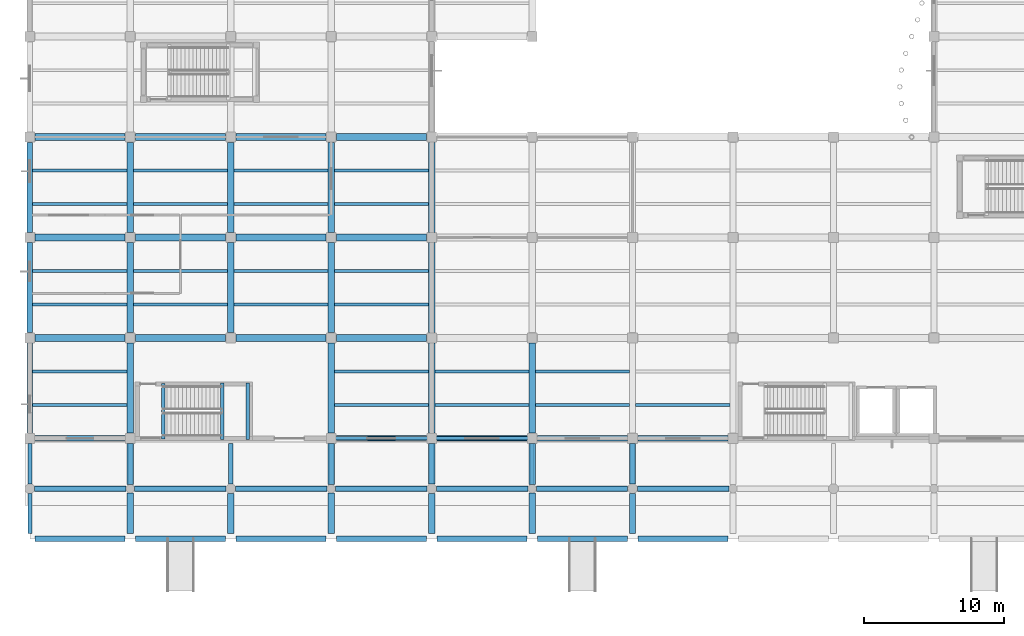
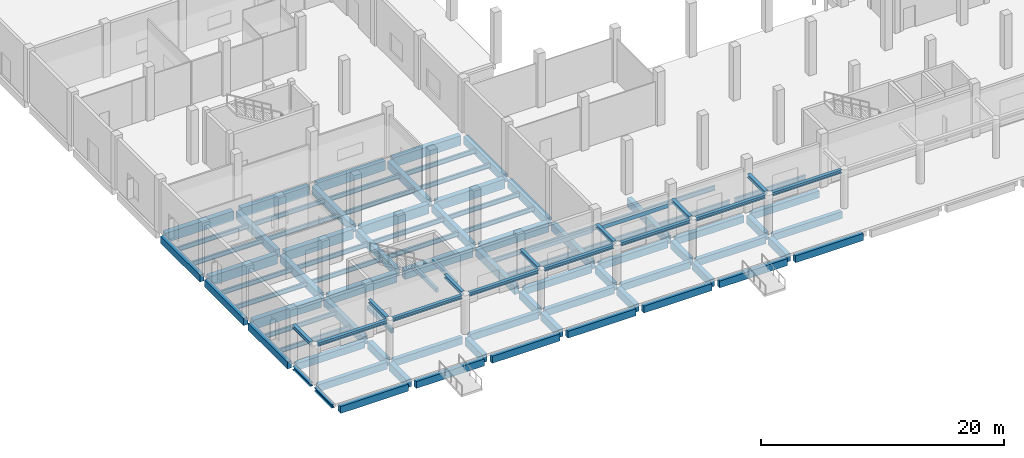
# One storey, part 13 of 46: 103 beams.
"""IFC4 building model written with IfcOpenShell, lengths in metres."""

from ifc_helpers import new_model, si_unit, direction, frame, origin, origin_2d, place, context, subcontext, project, spatial, rectangle, i_section, extrude, material, material_profile, profile_set, type_object, element, save


model = new_model("IFC4")

# Units and contexts
model_context = context("Model", 3, precision=1e-05, world=origin(), true_north=direction((0.0, 1.0)))
body_context = subcontext(model_context, "Body", "Model", "MODEL_VIEW")
ifc_project = project(units=[si_unit("LENGTHUNIT", "METRE"), si_unit("AREAUNIT", "SQUARE_METRE"), si_unit("VOLUMEUNIT", "CUBIC_METRE"), si_unit("PLANEANGLEUNIT", "RADIAN"), si_unit("MASSUNIT", "GRAM", prefix="KILO"), si_unit("THERMODYNAMICTEMPERATUREUNIT", "KELVIN"), si_unit("POWERUNIT", "WATT")], contexts=[model_context])

# Site, building, storey
site_placement = place(None, origin())
site = spatial("IfcSite", under=ifc_project, at=site_placement, CompositionType="ELEMENT")
building_placement = place(site_placement, origin())
building = spatial("IfcBuilding", under=site, at=building_placement, Name="Kaldorven Railside Theatre", CompositionType="ELEMENT")
storey_placement = place(building_placement, origin())
storey = spatial("IfcBuildingStorey", under=building, at=storey_placement, Name="L00", CompositionType="ELEMENT", Elevation=0.0)

# Beams
ifc_material_1 = material(Name="Steel S355", Category="steel")
ifc_material_profile_1 = material_profile(ifc_material_1, i_section(OverallWidth=0.300048828125, OverallDepth=0.340087890625, WebThickness=0.011962890625, FlangeThickness=0.021484375, at=origin_2d()), Name="HEB 340")
ifc_profile_set_1 = profile_set([ifc_material_profile_1], Name="Steel S355")
beam_type_1 = type_object("IfcBeamType", Name="BM-HEB340", PredefinedType="SPANDREL", material=ifc_profile_set_1)
for number, where, z_axis, x_axis, name in (
    (1, (8.0, 12.375, -0.419921875), (0.0, 1.0, 0.0), (-1.0, 0.0, 0.0), "L00 Girder BGY-L00-008-012-36"),
    (2, (8.0, 15.949951171875, -0.419921875), (0.0, 1.0, 0.0), (-1.0, 0.0, 0.0), "L00 Girder BGY-L00-008-015-36"),
):
    element("IfcBeam", number, at=place(storey_placement, frame(where, z_axis=z_axis, x_axis=x_axis)), inside=storey, type_object=beam_type_1, Name=name, PredefinedType="SPANDREL", context=body_context, shape_type="SweptSolid", body=[
        extrude(i_section(OverallWidth=0.300048828125, OverallDepth=0.340087890625, WebThickness=0.011962890625, FlangeThickness=0.021484375, at=origin_2d()), origin(), (0.0, 0.0, 1.0), 2.875),
    ])
beam_1_placement = place(storey_placement, frame((8.0, 15.949951171875, 3.739990234375), z_axis=(0.0, 1.0, 0.0), x_axis=(-1.0, 0.0, 0.0)))
element("IfcBeam", 3, at=beam_1_placement, inside=storey, type_object=beam_type_1, Name="Forecourt Canopy Outrigger Beam CANB-01", PredefinedType="SPANDREL", context=body_context, shape_type="SweptSolid", body=[
    extrude(i_section(OverallWidth=0.300048828125, OverallDepth=0.340087890625, WebThickness=0.011962890625, FlangeThickness=0.021484375, at=origin_2d()), origin(), (0.0, 0.0, 1.0), 2.900146484375),
])
beam_2_placement = place(storey_placement, frame((15.199951171875, 15.89990234375, 3.739990234375), z_axis=(0.0, 1.0, 0.0), x_axis=(-1.0, 0.0, 0.0)))
element("IfcBeam", 4, at=beam_2_placement, inside=storey, type_object=beam_type_1, Name="Forecourt Canopy Outrigger Beam CANB-02", PredefinedType="SPANDREL", context=body_context, shape_type="SweptSolid", body=[
    extrude(i_section(OverallWidth=0.300048828125, OverallDepth=0.340087890625, WebThickness=0.011962890625, FlangeThickness=0.021484375, at=origin_2d()), origin(), (0.0, 0.0, 1.0), 2.9501953125),
])
beam_3_placement = place(storey_placement, frame((22.39990234375, 15.949951171875, 3.739990234375), z_axis=(0.0, 1.0, 0.0), x_axis=(-1.0, 0.0, 0.0)))
element("IfcBeam", 5, at=beam_3_placement, inside=storey, type_object=beam_type_1, Name="Forecourt Canopy Outrigger Beam CANB-03", PredefinedType="SPANDREL", context=body_context, shape_type="SweptSolid", body=[
    extrude(i_section(OverallWidth=0.300048828125, OverallDepth=0.340087890625, WebThickness=0.011962890625, FlangeThickness=0.021484375, at=origin_2d()), origin(), (0.0, 0.0, 1.0), 2.900146484375),
])
beam_4_placement = place(storey_placement, frame((29.60009765625, 15.89990234375, 3.739990234375), z_axis=(0.0, 1.0, 0.0), x_axis=(-1.0, 0.0, 0.0)))
element("IfcBeam", 6, at=beam_4_placement, inside=storey, type_object=beam_type_1, Name="Forecourt Canopy Outrigger Beam CANB-04", PredefinedType="SPANDREL", context=body_context, shape_type="SweptSolid", body=[
    extrude(i_section(OverallWidth=0.300048828125, OverallDepth=0.340087890625, WebThickness=0.011962890625, FlangeThickness=0.021484375, at=origin_2d()), origin(), (0.0, 0.0, 1.0), 2.9501953125),
])
beam_5_placement = place(storey_placement, frame((36.800048828125, 15.949951171875, 3.739990234375), z_axis=(0.0, 1.0, 0.0), x_axis=(-1.0, 0.0, 0.0)))
element("IfcBeam", 7, at=beam_5_placement, inside=storey, type_object=beam_type_1, Name="Forecourt Canopy Outrigger Beam CANB-05", PredefinedType="SPANDREL", context=body_context, shape_type="SweptSolid", body=[
    extrude(i_section(OverallWidth=0.300048828125, OverallDepth=0.340087890625, WebThickness=0.011962890625, FlangeThickness=0.021484375, at=origin_2d()), origin(), (0.0, 0.0, 1.0), 2.900146484375),
])
beam_6_placement = place(storey_placement, frame((44.0, 15.89990234375, 3.739990234375), z_axis=(0.0, 1.0, 0.0), x_axis=(-1.0, 0.0, 0.0)))
element("IfcBeam", 8, at=beam_6_placement, inside=storey, type_object=beam_type_1, Name="Forecourt Canopy Outrigger Beam CANB-06", PredefinedType="SPANDREL", context=body_context, shape_type="SweptSolid", body=[
    extrude(i_section(OverallWidth=0.300048828125, OverallDepth=0.340087890625, WebThickness=0.011962890625, FlangeThickness=0.021484375, at=origin_2d()), origin(), (0.0, 0.0, 1.0), 2.9501953125),
])
beam_7_placement = place(storey_placement, frame((51.199951171875, 15.949951171875, 3.739990234375), z_axis=(0.0, 1.0, 0.0), x_axis=(-1.0, 0.0, 0.0)))
element("IfcBeam", 9, at=beam_7_placement, inside=storey, type_object=beam_type_1, Name="Forecourt Canopy Outrigger Beam CANB-07", PredefinedType="SPANDREL", context=body_context, shape_type="SweptSolid", body=[
    extrude(i_section(OverallWidth=0.300048828125, OverallDepth=0.340087890625, WebThickness=0.011962890625, FlangeThickness=0.021484375, at=origin_2d()), origin(), (0.0, 0.0, 1.0), 2.900146484375),
])
beam_8_placement = place(storey_placement, frame((8.35009765625, 15.60009765625, 3.739990234375), z_axis=(1.0, 0.0, 0.0), x_axis=(0.0, 1.0, 0.0)))
element("IfcBeam", 10, at=beam_8_placement, inside=storey, type_object=beam_type_1, Name="Forecourt Canopy Front Edge Girder CANE-01", PredefinedType="SPANDREL", context=body_context, shape_type="SweptSolid", body=[
    extrude(i_section(OverallWidth=0.300048828125, OverallDepth=0.340087890625, WebThickness=0.011962890625, FlangeThickness=0.021484375, at=origin_2d()), origin(), (0.0, 0.0, 1.0), 6.5498046875),
])
for number, where, z_axis, x_axis, name in (
    (11, (15.5, 15.60009765625, 3.739990234375), (1.0, 0.0, 0.0), (0.0, 1.0, 0.0), "Forecourt Canopy Front Edge Girder CANE-02"),
    (12, (22.75, 15.60009765625, 3.739990234375), (1.0, 0.0, 0.0), (0.0, 1.0, 0.0), "Forecourt Canopy Front Edge Girder CANE-03"),
    (13, (29.89990234375, 15.60009765625, 3.739990234375), (1.0, 0.0, 0.0), (0.0, 1.0, 0.0), "Forecourt Canopy Front Edge Girder CANE-04"),
    (14, (37.14990234375, 15.60009765625, 3.739990234375), (1.0, 0.0, 0.0), (0.0, 1.0, 0.0), "Forecourt Canopy Front Edge Girder CANE-05"),
    (15, (44.300048828125, 15.60009765625, 3.739990234375), (1.0, 0.0, 0.0), (0.0, 1.0, 0.0), "Forecourt Canopy Front Edge Girder CANE-06"),
    (16, (51.550048828125, 15.60009765625, 3.739990234375), (1.0, 0.0, 0.0), (0.0, 1.0, 0.0), "Forecourt Canopy Front Edge Girder CANE-07"),
):
    element("IfcBeam", number, at=place(storey_placement, frame(where, z_axis=z_axis, x_axis=x_axis)), inside=storey, type_object=beam_type_1, Name=name, PredefinedType="SPANDREL", context=body_context, shape_type="SweptSolid", body=[
        extrude(i_section(OverallWidth=0.300048828125, OverallDepth=0.340087890625, WebThickness=0.011962890625, FlangeThickness=0.021484375, at=origin_2d()), origin(), (0.0, 0.0, 1.0), 6.550048828125),
    ])
ifc_material_profile_2 = material_profile(ifc_material_1, i_section(OverallWidth=0.18994140625, OverallDepth=0.449951171875, WebThickness=0.009521484375, FlangeThickness=0.0146484375, at=origin_2d()), Name="IPE 450")
ifc_profile_set_2 = profile_set([ifc_material_profile_2], Name="Steel S355")
beam_type_2 = type_object("IfcBeamType", Name="BM-IPE450", PredefinedType="JOIST", material=ifc_profile_set_2)
for number, where, z_axis, x_axis, name in (
    (17, (8.199951171875, 21.60009765625, -0.52490234375), (1.0, 0.0, 0.0), (0.0, 1.0, 0.0), "L00 Secondary Floor Joist JG-L00-008-0216"),
    (18, (8.199951171875, 24.0, -0.52490234375), (1.0, 0.0, 0.0), (0.0, 1.0, 0.0), "L00 Secondary Floor Joist JG-L00-008-0240"),
):
    element("IfcBeam", number, at=place(storey_placement, frame(where, z_axis=z_axis, x_axis=x_axis)), inside=storey, type_object=beam_type_2, Name=name, PredefinedType="JOIST", context=body_context, shape_type="SweptSolid", body=[
        extrude(i_section(OverallWidth=0.18994140625, OverallDepth=0.449951171875, WebThickness=0.009521484375, FlangeThickness=0.0146484375, at=origin_2d()), origin(), (0.0, 0.0, 1.0), 6.775146484375),
    ])
for number, where, z_axis, x_axis, name in (
    (19, (29.824951171875, 21.60009765625, -0.52490234375), (1.0, 0.0, 0.0), (0.0, 1.0, 0.0), "L00 Secondary Floor Joist JG-L00-029-0216"),
    (20, (29.824951171875, 24.0, -0.52490234375), (1.0, 0.0, 0.0), (0.0, 1.0, 0.0), "L00 Secondary Floor Joist JG-L00-029-0240"),
    (21, (37.02490234375, 21.60009765625, -0.544921875), (1.0, 0.0, 0.0), (0.0, 1.0, 0.0), "L00 Secondary Floor Joist JG-L00-036-0216"),
    (22, (37.02490234375, 24.0, -0.544921875), (1.0, 0.0, 0.0), (0.0, 1.0, 0.0), "L00 Secondary Floor Joist JG-L00-036-0240"),
    (23, (44.22509765625, 21.60009765625, -0.544921875), (1.0, 0.0, 0.0), (0.0, 1.0, 0.0), "L00 Secondary Floor Joist JG-L00-044-0216"),
    (24, (44.22509765625, 24.0, -0.544921875), (1.0, 0.0, 0.0), (0.0, 1.0, 0.0), "L00 Secondary Floor Joist JG-L00-044-0240"),
    (25, (51.425048828125, 21.60009765625, -0.544921875), (1.0, 0.0, 0.0), (0.0, 1.0, 0.0), "L00 Secondary Floor Joist JG-L00-051-0216"),
):
    element("IfcBeam", number, at=place(storey_placement, frame(where, z_axis=z_axis, x_axis=x_axis)), inside=storey, type_object=beam_type_2, Name=name, PredefinedType="JOIST", context=body_context, shape_type="SweptSolid", body=[
        extrude(i_section(OverallWidth=0.18994140625, OverallDepth=0.449951171875, WebThickness=0.009521484375, FlangeThickness=0.0146484375, at=origin_2d()), origin(), (0.0, 0.0, 1.0), 6.75),
    ])
for number, where, z_axis, x_axis, name in (
    (26, (8.199951171875, 28.800048828125, -0.52490234375), (1.0, 0.0, 0.0), (0.0, 1.0, 0.0), "L00 Secondary Floor Joist JG-L00-008-0288"),
    (27, (8.199951171875, 31.199951171875, -0.52490234375), (1.0, 0.0, 0.0), (0.0, 1.0, 0.0), "L00 Secondary Floor Joist JG-L00-008-0312"),
):
    element("IfcBeam", number, at=place(storey_placement, frame(where, z_axis=z_axis, x_axis=x_axis)), inside=storey, type_object=beam_type_2, Name=name, PredefinedType="JOIST", context=body_context, shape_type="SweptSolid", body=[
        extrude(i_section(OverallWidth=0.18994140625, OverallDepth=0.449951171875, WebThickness=0.009521484375, FlangeThickness=0.0146484375, at=origin_2d()), origin(), (0.0, 0.0, 1.0), 6.775146484375),
    ])
for number, where, z_axis, x_axis, name in (
    (28, (15.425048828125, 28.800048828125, -0.52490234375), (1.0, 0.0, 0.0), (0.0, 1.0, 0.0), "L00 Secondary Floor Joist JG-L00-015-0288"),
    (29, (15.425048828125, 31.199951171875, -0.52490234375), (1.0, 0.0, 0.0), (0.0, 1.0, 0.0), "L00 Secondary Floor Joist JG-L00-015-0312"),
    (30, (22.625, 28.800048828125, -0.52490234375), (1.0, 0.0, 0.0), (0.0, 1.0, 0.0), "L00 Secondary Floor Joist JG-L00-022-0288"),
    (31, (22.625, 31.199951171875, -0.52490234375), (1.0, 0.0, 0.0), (0.0, 1.0, 0.0), "L00 Secondary Floor Joist JG-L00-022-0312"),
    (32, (29.824951171875, 28.800048828125, -0.52490234375), (1.0, 0.0, 0.0), (0.0, 1.0, 0.0), "L00 Secondary Floor Joist JG-L00-029-0288"),
    (33, (29.824951171875, 31.199951171875, -0.52490234375), (1.0, 0.0, 0.0), (0.0, 1.0, 0.0), "L00 Secondary Floor Joist JG-L00-029-0312"),
):
    element("IfcBeam", number, at=place(storey_placement, frame(where, z_axis=z_axis, x_axis=x_axis)), inside=storey, type_object=beam_type_2, Name=name, PredefinedType="JOIST", context=body_context, shape_type="SweptSolid", body=[
        extrude(i_section(OverallWidth=0.18994140625, OverallDepth=0.449951171875, WebThickness=0.009521484375, FlangeThickness=0.0146484375, at=origin_2d()), origin(), (0.0, 0.0, 1.0), 6.75),
    ])
for number, where, z_axis, x_axis, name in (
    (34, (8.199951171875, 36.0, -0.52490234375), (1.0, 0.0, 0.0), (0.0, 1.0, 0.0), "L00 Secondary Floor Joist JG-L00-008-0360"),
    (35, (8.199951171875, 38.39990234375, -0.52490234375), (1.0, 0.0, 0.0), (0.0, 1.0, 0.0), "L00 Secondary Floor Joist JG-L00-008-0384"),
):
    element("IfcBeam", number, at=place(storey_placement, frame(where, z_axis=z_axis, x_axis=x_axis)), inside=storey, type_object=beam_type_2, Name=name, PredefinedType="JOIST", context=body_context, shape_type="SweptSolid", body=[
        extrude(i_section(OverallWidth=0.18994140625, OverallDepth=0.449951171875, WebThickness=0.009521484375, FlangeThickness=0.0146484375, at=origin_2d()), origin(), (0.0, 0.0, 1.0), 6.775146484375),
    ])
for number, where, z_axis, x_axis, name in (
    (36, (15.425048828125, 36.0, -0.52490234375), (1.0, 0.0, 0.0), (0.0, 1.0, 0.0), "L00 Secondary Floor Joist JG-L00-015-0360"),
    (37, (15.425048828125, 38.39990234375, -0.52490234375), (1.0, 0.0, 0.0), (0.0, 1.0, 0.0), "L00 Secondary Floor Joist JG-L00-015-0384"),
    (38, (22.625, 36.0, -0.52490234375), (1.0, 0.0, 0.0), (0.0, 1.0, 0.0), "L00 Secondary Floor Joist JG-L00-022-0360"),
    (39, (22.625, 38.39990234375, -0.52490234375), (1.0, 0.0, 0.0), (0.0, 1.0, 0.0), "L00 Secondary Floor Joist JG-L00-022-0384"),
    (40, (29.824951171875, 36.0, -0.52490234375), (1.0, 0.0, 0.0), (0.0, 1.0, 0.0), "L00 Secondary Floor Joist JG-L00-029-0360"),
    (41, (29.824951171875, 38.39990234375, -0.52490234375), (1.0, 0.0, 0.0), (0.0, 1.0, 0.0), "L00 Secondary Floor Joist JG-L00-029-0384"),
):
    element("IfcBeam", number, at=place(storey_placement, frame(where, z_axis=z_axis, x_axis=x_axis)), inside=storey, type_object=beam_type_2, Name=name, PredefinedType="JOIST", context=body_context, shape_type="SweptSolid", body=[
        extrude(i_section(OverallWidth=0.18994140625, OverallDepth=0.449951171875, WebThickness=0.009521484375, FlangeThickness=0.0146484375, at=origin_2d()), origin(), (0.0, 0.0, 1.0), 6.75),
    ])
ifc_material_2 = material(Name="Concrete C40/50", Category="concrete")
ifc_material_profile_3 = material_profile(ifc_material_2, rectangle(XDim=0.25, YDim=0.39990234375, at=origin_2d()), Name="RC 250x400")
ifc_profile_set_3 = profile_set([ifc_material_profile_3], Name="Concrete C40/50")
beam_type_3 = type_object("IfcBeamType", Name="BM-RC250x400", PredefinedType="LINTEL", material=ifc_profile_set_3)
beam_9_placement = place(storey_placement, frame((17.550048828125, 19.169921875, -0.344970703125), z_axis=(0.0, 1.0, 0.0), x_axis=(-1.0, 0.0, 0.0)))
element("IfcBeam", 42, at=beam_9_placement, inside=storey, type_object=beam_type_3, Name="Stair ST-01 L00 Landing Trimmer Beam", PredefinedType="LINTEL", context=body_context, shape_type="SweptSolid", body=[
    extrude(rectangle(XDim=0.25, YDim=0.39990234375, at=origin_2d()), origin(), (0.0, 0.0, 1.0), 3.9599609375),
])
for number, where, z_axis, x_axis, name in (
    (43, (21.77490234375, 19.139892578125, 2.300048828125), (0.0, 1.0, 0.0), (-1.0, 0.0, 0.0), "Stair ST-01 L00 Half-Landing Bearer"),
    (44, (23.6298828125, 19.139892578125, 2.300048828125), (0.0, 1.0, 0.0), (-1.0, 0.0, 0.0), "Stair ST-01 L00 Half-Landing Bearer"),
):
    element("IfcBeam", number, at=place(storey_placement, frame(where, z_axis=z_axis, x_axis=x_axis)), inside=storey, type_object=beam_type_3, Name=name, PredefinedType="LINTEL", context=body_context, shape_type="SweptSolid", body=[
        extrude(rectangle(XDim=0.25, YDim=0.39990234375, at=origin_2d()), origin(), (0.0, 0.0, 1.0), 4.02001953125),
    ])
for number, where, z_axis, x_axis, name in (
    (45, (29.85009765625, 19.199951171875, 3.14990234375), (1.0, 0.0, 0.0), (0.0, 1.0, 0.0), "Reinforced Concrete Opening Lintel LNT-01"),
    (46, (37.050048828125, 19.199951171875, 3.14990234375), (1.0, 0.0, 0.0), (0.0, 1.0, 0.0), "Reinforced Concrete Opening Lintel LNT-06"),
):
    element("IfcBeam", number, at=place(storey_placement, frame(where, z_axis=z_axis, x_axis=x_axis)), inside=storey, type_object=beam_type_3, Name=name, PredefinedType="LINTEL", context=body_context, shape_type="SweptSolid", body=[
        extrude(rectangle(XDim=0.25, YDim=0.39990234375, at=origin_2d()), origin(), (0.0, 0.0, 1.0), 6.699951171875),
    ])
ifc_material_profile_4 = material_profile(ifc_material_2, rectangle(XDim=0.39990234375, YDim=0.699951171875, at=origin_2d()), Name="RC 400x700")
ifc_profile_set_4 = profile_set([ifc_material_profile_4], Name="Concrete C40/50")
beam_type_4 = type_object("IfcBeamType", Name="BM-RC400x700", PredefinedType="BEAM", material=ifc_profile_set_4)
for number, where, z_axis, x_axis, name in (
    (47, (8.375, 12.0, -0.60009765625), (1.0, 0.0, 0.0), (0.0, 1.0, 0.0), "L00 Girder BGX-L00-008-012"),
    (48, (15.574951171875, 12.0, -0.60009765625), (1.0, 0.0, 0.0), (0.0, 1.0, 0.0), "L00 Girder BGX-L00-015-012"),
):
    element("IfcBeam", number, at=place(storey_placement, frame(where, z_axis=z_axis, x_axis=x_axis)), inside=storey, type_object=beam_type_4, Name=name, PredefinedType="BEAM", context=body_context, shape_type="SweptSolid", body=[
        extrude(rectangle(XDim=0.39990234375, YDim=0.699951171875, at=origin_2d()), origin(), (0.0, 0.0, 1.0), 6.449951171875),
    ])
beam_10_placement = place(storey_placement, frame((22.77490234375, 12.0, -0.60009765625), z_axis=(1.0, 0.0, 0.0), x_axis=(0.0, 1.0, 0.0)))
element("IfcBeam", 49, at=beam_10_placement, inside=storey, type_object=beam_type_4, Name="L00 Girder BGX-L00-022-012", PredefinedType="BEAM", context=body_context, shape_type="SweptSolid", body=[
    extrude(rectangle(XDim=0.39990234375, YDim=0.699951171875, at=origin_2d()), origin(), (0.0, 0.0, 1.0), 6.4501953125),
])
for number, where, z_axis, x_axis, name in (
    (50, (29.97509765625, 12.0, -0.60009765625), (1.0, 0.0, 0.0), (0.0, 1.0, 0.0), "L00 Girder BGX-L00-029-012"),
    (51, (37.175048828125, 12.0, -0.60009765625), (1.0, 0.0, 0.0), (0.0, 1.0, 0.0), "L00 Girder BGX-L00-036-012"),
    (52, (44.375, 12.0, -0.60009765625), (1.0, 0.0, 0.0), (0.0, 1.0, 0.0), "L00 Girder BGX-L00-044-012"),
    (53, (51.574951171875, 12.0, -0.60009765625), (1.0, 0.0, 0.0), (0.0, 1.0, 0.0), "L00 Girder BGX-L00-051-012"),
):
    element("IfcBeam", number, at=place(storey_placement, frame(where, z_axis=z_axis, x_axis=x_axis)), inside=storey, type_object=beam_type_4, Name=name, PredefinedType="BEAM", context=body_context, shape_type="SweptSolid", body=[
        extrude(rectangle(XDim=0.39990234375, YDim=0.699951171875, at=origin_2d()), origin(), (0.0, 0.0, 1.0), 6.449951171875),
    ])
beam_11_placement = place(storey_placement, frame((8.35009765625, 15.60009765625, -0.60009765625), z_axis=(1.0, 0.0, 0.0), x_axis=(0.0, 1.0, 0.0)))
element("IfcBeam", 54, at=beam_11_placement, inside=storey, type_object=beam_type_4, Name="L00 Girder BGX-L00-008-015", PredefinedType="BEAM", context=body_context, shape_type="SweptSolid", body=[
    extrude(rectangle(XDim=0.39990234375, YDim=0.699951171875, at=origin_2d()), origin(), (0.0, 0.0, 1.0), 6.5498046875),
])
for number, where, z_axis, x_axis, name in (
    (55, (15.5, 15.60009765625, -0.60009765625), (1.0, 0.0, 0.0), (0.0, 1.0, 0.0), "L00 Girder BGX-L00-015-015"),
    (56, (22.75, 15.60009765625, -0.60009765625), (1.0, 0.0, 0.0), (0.0, 1.0, 0.0), "L00 Girder BGX-L00-022-015"),
    (57, (29.89990234375, 15.60009765625, -0.60009765625), (1.0, 0.0, 0.0), (0.0, 1.0, 0.0), "L00 Girder BGX-L00-029-015"),
    (58, (37.14990234375, 15.60009765625, -0.60009765625), (1.0, 0.0, 0.0), (0.0, 1.0, 0.0), "L00 Girder BGX-L00-036-015"),
    (59, (44.300048828125, 15.60009765625, -0.60009765625), (1.0, 0.0, 0.0), (0.0, 1.0, 0.0), "L00 Girder BGX-L00-044-015"),
    (60, (51.550048828125, 15.60009765625, -0.60009765625), (1.0, 0.0, 0.0), (0.0, 1.0, 0.0), "L00 Girder BGX-L00-051-015"),
):
    element("IfcBeam", number, at=place(storey_placement, frame(where, z_axis=z_axis, x_axis=x_axis)), inside=storey, type_object=beam_type_4, Name=name, PredefinedType="BEAM", context=body_context, shape_type="SweptSolid", body=[
        extrude(rectangle(XDim=0.39990234375, YDim=0.699951171875, at=origin_2d()), origin(), (0.0, 0.0, 1.0), 6.550048828125),
    ])
for number, where, z_axis, x_axis, name in (
    (61, (8.375, 19.199951171875, -0.64990234375), (1.0, 0.0, 0.0), (0.0, 1.0, 0.0), "L00 Girder BGX-L00-008-019"),
    (62, (8.0, 19.574951171875, -0.64990234375), (0.0, 1.0, 0.0), (-1.0, 0.0, 0.0), "L00 Girder BGY-L00-008-019-72"),
    (63, (29.97509765625, 19.199951171875, -0.64990234375), (1.0, 0.0, 0.0), (0.0, 1.0, 0.0), "L00 Girder BGX-L00-029-019"),
    (64, (37.175048828125, 19.199951171875, -0.669921875), (1.0, 0.0, 0.0), (0.0, 1.0, 0.0), "L00 Girder BGX-L00-036-019"),
    (65, (44.375, 19.199951171875, -0.669921875), (1.0, 0.0, 0.0), (0.0, 1.0, 0.0), "L00 Girder BGX-L00-044-019"),
    (66, (51.574951171875, 19.199951171875, -0.669921875), (1.0, 0.0, 0.0), (0.0, 1.0, 0.0), "L00 Girder BGX-L00-051-019"),
):
    element("IfcBeam", number, at=place(storey_placement, frame(where, z_axis=z_axis, x_axis=x_axis)), inside=storey, type_object=beam_type_4, Name=name, PredefinedType="BEAM", context=body_context, shape_type="SweptSolid", body=[
        extrude(rectangle(XDim=0.39990234375, YDim=0.699951171875, at=origin_2d()), origin(), (0.0, 0.0, 1.0), 6.449951171875),
    ])
beam_12_placement = place(storey_placement, frame((8.0, 26.77490234375, -0.64990234375), z_axis=(0.0, 1.0, 0.0), x_axis=(-1.0, 0.0, 0.0)))
element("IfcBeam", 67, at=beam_12_placement, inside=storey, type_object=beam_type_4, Name="L00 Girder BGY-L00-008-026-72", PredefinedType="BEAM", context=body_context, shape_type="SweptSolid", body=[
    extrude(rectangle(XDim=0.39990234375, YDim=0.699951171875, at=origin_2d()), origin(), (0.0, 0.0, 1.0), 6.4501953125),
])
beam_13_placement = place(storey_placement, frame((8.0, 33.97509765625, -0.64990234375), z_axis=(0.0, 1.0, 0.0), x_axis=(-1.0, 0.0, 0.0)))
element("IfcBeam", 68, at=beam_13_placement, inside=storey, type_object=beam_type_4, Name="L00 Girder BGY-L00-008-033-72", PredefinedType="BEAM", context=body_context, shape_type="SweptSolid", body=[
    extrude(rectangle(XDim=0.39990234375, YDim=0.699951171875, at=origin_2d()), origin(), (0.0, 0.0, 1.0), 6.449951171875),
])
ifc_material_profile_5 = material_profile(ifc_material_2, rectangle(XDim=0.449951171875, YDim=0.800048828125, at=origin_2d()), Name="RC 450x800")
ifc_profile_set_5 = profile_set([ifc_material_profile_5], Name="Concrete C40/50")
beam_type_5 = type_object("IfcBeamType", Name="BM-RC450x800", PredefinedType="BEAM", material=ifc_profile_set_5)
beam_14_placement = place(storey_placement, frame((15.199951171875, 12.375, -0.64990234375), z_axis=(0.0, 1.0, 0.0), x_axis=(-1.0, 0.0, 0.0)))
element("IfcBeam", 69, at=beam_14_placement, inside=storey, type_object=beam_type_5, Name="L00 Girder BGY-L00-015-012-36", PredefinedType="BEAM", context=body_context, shape_type="SweptSolid", body=[
    extrude(rectangle(XDim=0.449951171875, YDim=0.800048828125, at=origin_2d()), origin(), (0.0, 0.0, 1.0), 2.925048828125),
])
beam_15_placement = place(storey_placement, frame((22.39990234375, 12.375, -0.64990234375), z_axis=(0.0, 1.0, 0.0), x_axis=(-1.0, 0.0, 0.0)))
element("IfcBeam", 70, at=beam_15_placement, inside=storey, type_object=beam_type_5, Name="L00 Girder BGY-L00-022-012-36", PredefinedType="BEAM", context=body_context, shape_type="SweptSolid", body=[
    extrude(rectangle(XDim=0.449951171875, YDim=0.800048828125, at=origin_2d()), origin(), (0.0, 0.0, 1.0), 2.875),
])
beam_16_placement = place(storey_placement, frame((29.60009765625, 12.375, -0.64990234375), z_axis=(0.0, 1.0, 0.0), x_axis=(-1.0, 0.0, 0.0)))
element("IfcBeam", 71, at=beam_16_placement, inside=storey, type_object=beam_type_5, Name="L00 Girder BGY-L00-029-012-36", PredefinedType="BEAM", context=body_context, shape_type="SweptSolid", body=[
    extrude(rectangle(XDim=0.449951171875, YDim=0.800048828125, at=origin_2d()), origin(), (0.0, 0.0, 1.0), 2.925048828125),
])
beam_17_placement = place(storey_placement, frame((36.800048828125, 12.375, -0.64990234375), z_axis=(0.0, 1.0, 0.0), x_axis=(-1.0, 0.0, 0.0)))
element("IfcBeam", 72, at=beam_17_placement, inside=storey, type_object=beam_type_5, Name="L00 Girder BGY-L00-036-012-36", PredefinedType="BEAM", context=body_context, shape_type="SweptSolid", body=[
    extrude(rectangle(XDim=0.449951171875, YDim=0.800048828125, at=origin_2d()), origin(), (0.0, 0.0, 1.0), 2.875),
])
beam_18_placement = place(storey_placement, frame((44.0, 12.375, -0.64990234375), z_axis=(0.0, 1.0, 0.0), x_axis=(-1.0, 0.0, 0.0)))
element("IfcBeam", 73, at=beam_18_placement, inside=storey, type_object=beam_type_5, Name="L00 Girder BGY-L00-044-012-36", PredefinedType="BEAM", context=body_context, shape_type="SweptSolid", body=[
    extrude(rectangle(XDim=0.449951171875, YDim=0.800048828125, at=origin_2d()), origin(), (0.0, 0.0, 1.0), 2.925048828125),
])
beam_19_placement = place(storey_placement, frame((51.199951171875, 12.375, -0.64990234375), z_axis=(0.0, 1.0, 0.0), x_axis=(-1.0, 0.0, 0.0)))
element("IfcBeam", 74, at=beam_19_placement, inside=storey, type_object=beam_type_5, Name="L00 Girder BGY-L00-051-012-36", PredefinedType="BEAM", context=body_context, shape_type="SweptSolid", body=[
    extrude(rectangle(XDim=0.449951171875, YDim=0.800048828125, at=origin_2d()), origin(), (0.0, 0.0, 1.0), 2.875),
])
for number, where, z_axis, x_axis, name in (
    (75, (15.199951171875, 15.89990234375, -0.64990234375), (0.0, 1.0, 0.0), (-1.0, 0.0, 0.0), "L00 Girder BGY-L00-015-015-36"),
    (76, (29.60009765625, 15.89990234375, -0.64990234375), (0.0, 1.0, 0.0), (-1.0, 0.0, 0.0), "L00 Girder BGY-L00-029-015-36"),
):
    element("IfcBeam", number, at=place(storey_placement, frame(where, z_axis=z_axis, x_axis=x_axis)), inside=storey, type_object=beam_type_5, Name=name, PredefinedType="BEAM", context=body_context, shape_type="SweptSolid", body=[
        extrude(rectangle(XDim=0.449951171875, YDim=0.800048828125, at=origin_2d()), origin(), (0.0, 0.0, 1.0), 2.925048828125),
    ])
beam_20_placement = place(storey_placement, frame((36.800048828125, 15.949951171875, -0.64990234375), z_axis=(0.0, 1.0, 0.0), x_axis=(-1.0, 0.0, 0.0)))
element("IfcBeam", 77, at=beam_20_placement, inside=storey, type_object=beam_type_5, Name="L00 Girder BGY-L00-036-015-36", PredefinedType="BEAM", context=body_context, shape_type="SweptSolid", body=[
    extrude(rectangle(XDim=0.449951171875, YDim=0.800048828125, at=origin_2d()), origin(), (0.0, 0.0, 1.0), 2.875),
])
beam_21_placement = place(storey_placement, frame((44.0, 15.89990234375, -0.64990234375), z_axis=(0.0, 1.0, 0.0), x_axis=(-1.0, 0.0, 0.0)))
element("IfcBeam", 78, at=beam_21_placement, inside=storey, type_object=beam_type_5, Name="L00 Girder BGY-L00-044-015-36", PredefinedType="BEAM", context=body_context, shape_type="SweptSolid", body=[
    extrude(rectangle(XDim=0.449951171875, YDim=0.800048828125, at=origin_2d()), origin(), (0.0, 0.0, 1.0), 2.925048828125),
])
beam_22_placement = place(storey_placement, frame((51.199951171875, 15.949951171875, -0.64990234375), z_axis=(0.0, 1.0, 0.0), x_axis=(-1.0, 0.0, 0.0)))
element("IfcBeam", 79, at=beam_22_placement, inside=storey, type_object=beam_type_5, Name="L00 Girder BGY-L00-051-015-36", PredefinedType="BEAM", context=body_context, shape_type="SweptSolid", body=[
    extrude(rectangle(XDim=0.449951171875, YDim=0.800048828125, at=origin_2d()), origin(), (0.0, 0.0, 1.0), 2.875),
])
for number, where, z_axis, x_axis, name in (
    (80, (15.199951171875, 19.574951171875, -0.699951171875), (0.0, 1.0, 0.0), (-1.0, 0.0, 0.0), "L00 Girder BGY-L00-015-019-72"),
    (81, (29.60009765625, 19.574951171875, -0.699951171875), (0.0, 1.0, 0.0), (-1.0, 0.0, 0.0), "L00 Girder BGY-L00-029-019-72"),
    (82, (36.800048828125, 19.574951171875, -0.719970703125), (0.0, 1.0, 0.0), (-1.0, 0.0, 0.0), "L00 Girder BGY-L00-036-019-72"),
    (83, (44.0, 19.574951171875, -0.719970703125), (0.0, 1.0, 0.0), (-1.0, 0.0, 0.0), "L00 Girder BGY-L00-044-019-72"),
):
    element("IfcBeam", number, at=place(storey_placement, frame(where, z_axis=z_axis, x_axis=x_axis)), inside=storey, type_object=beam_type_5, Name=name, PredefinedType="BEAM", context=body_context, shape_type="SweptSolid", body=[
        extrude(rectangle(XDim=0.449951171875, YDim=0.800048828125, at=origin_2d()), origin(), (0.0, 0.0, 1.0), 6.449951171875),
    ])
for number, where, z_axis, x_axis, name in (
    (84, (15.199951171875, 26.77490234375, -0.699951171875), (0.0, 1.0, 0.0), (-1.0, 0.0, 0.0), "L00 Girder BGY-L00-015-026-72"),
    (85, (22.39990234375, 26.77490234375, -0.699951171875), (0.0, 1.0, 0.0), (-1.0, 0.0, 0.0), "L00 Girder BGY-L00-022-026-72"),
    (86, (29.60009765625, 26.77490234375, -0.699951171875), (0.0, 1.0, 0.0), (-1.0, 0.0, 0.0), "L00 Girder BGY-L00-029-026-72"),
    (87, (36.800048828125, 26.77490234375, -0.719970703125), (0.0, 1.0, 0.0), (-1.0, 0.0, 0.0), "L00 Girder BGY-L00-036-026-72"),
):
    element("IfcBeam", number, at=place(storey_placement, frame(where, z_axis=z_axis, x_axis=x_axis)), inside=storey, type_object=beam_type_5, Name=name, PredefinedType="BEAM", context=body_context, shape_type="SweptSolid", body=[
        extrude(rectangle(XDim=0.449951171875, YDim=0.800048828125, at=origin_2d()), origin(), (0.0, 0.0, 1.0), 6.4501953125),
    ])
for number, where, z_axis, x_axis, name in (
    (88, (15.199951171875, 33.97509765625, -0.699951171875), (0.0, 1.0, 0.0), (-1.0, 0.0, 0.0), "L00 Girder BGY-L00-015-033-72"),
    (89, (22.39990234375, 33.97509765625, -0.699951171875), (0.0, 1.0, 0.0), (-1.0, 0.0, 0.0), "L00 Girder BGY-L00-022-033-72"),
    (90, (29.60009765625, 33.97509765625, -0.699951171875), (0.0, 1.0, 0.0), (-1.0, 0.0, 0.0), "L00 Girder BGY-L00-029-033-72"),
    (91, (36.800048828125, 33.97509765625, -0.719970703125), (0.0, 1.0, 0.0), (-1.0, 0.0, 0.0), "L00 Girder BGY-L00-036-033-72"),
):
    element("IfcBeam", number, at=place(storey_placement, frame(where, z_axis=z_axis, x_axis=x_axis)), inside=storey, type_object=beam_type_5, Name=name, PredefinedType="BEAM", context=body_context, shape_type="SweptSolid", body=[
        extrude(rectangle(XDim=0.449951171875, YDim=0.800048828125, at=origin_2d()), origin(), (0.0, 0.0, 1.0), 6.449951171875),
    ])
ifc_material_profile_6 = material_profile(ifc_material_2, rectangle(XDim=0.5, YDim=0.949951171875, at=origin_2d()), Name="RC 500x950")
ifc_profile_set_6 = profile_set([ifc_material_profile_6], Name="Concrete C40/50")
beam_type_6 = type_object("IfcBeamType", Name="BM-RC500x950", PredefinedType="BEAM", material=ifc_profile_set_6)
for number, where, z_axis, x_axis, name in (
    (92, (8.375, 26.39990234375, -0.77490234375), (1.0, 0.0, 0.0), (0.0, 1.0, 0.0), "L00 Girder BGX-L00-008-026"),
    (93, (15.574951171875, 26.39990234375, -0.77490234375), (1.0, 0.0, 0.0), (0.0, 1.0, 0.0), "L00 Girder BGX-L00-015-026"),
):
    element("IfcBeam", number, at=place(storey_placement, frame(where, z_axis=z_axis, x_axis=x_axis)), inside=storey, type_object=beam_type_6, Name=name, PredefinedType="BEAM", context=body_context, shape_type="SweptSolid", body=[
        extrude(rectangle(XDim=0.5, YDim=0.949951171875, at=origin_2d()), origin(), (0.0, 0.0, 1.0), 6.449951171875),
    ])
beam_23_placement = place(storey_placement, frame((22.77490234375, 26.39990234375, -0.77490234375), z_axis=(1.0, 0.0, 0.0), x_axis=(0.0, 1.0, 0.0)))
element("IfcBeam", 94, at=beam_23_placement, inside=storey, type_object=beam_type_6, Name="L00 Girder BGX-L00-022-026", PredefinedType="BEAM", context=body_context, shape_type="SweptSolid", body=[
    extrude(rectangle(XDim=0.5, YDim=0.949951171875, at=origin_2d()), origin(), (0.0, 0.0, 1.0), 6.4501953125),
])
for number, where, z_axis, x_axis, name in (
    (95, (29.97509765625, 26.39990234375, -0.77490234375), (1.0, 0.0, 0.0), (0.0, 1.0, 0.0), "L00 Girder BGX-L00-029-026"),
    (96, (8.375, 33.60009765625, -0.77490234375), (1.0, 0.0, 0.0), (0.0, 1.0, 0.0), "L00 Girder BGX-L00-008-033"),
    (97, (15.574951171875, 33.60009765625, -0.77490234375), (1.0, 0.0, 0.0), (0.0, 1.0, 0.0), "L00 Girder BGX-L00-015-033"),
):
    element("IfcBeam", number, at=place(storey_placement, frame(where, z_axis=z_axis, x_axis=x_axis)), inside=storey, type_object=beam_type_6, Name=name, PredefinedType="BEAM", context=body_context, shape_type="SweptSolid", body=[
        extrude(rectangle(XDim=0.5, YDim=0.949951171875, at=origin_2d()), origin(), (0.0, 0.0, 1.0), 6.449951171875),
    ])
beam_24_placement = place(storey_placement, frame((22.77490234375, 33.60009765625, -0.77490234375), z_axis=(1.0, 0.0, 0.0), x_axis=(0.0, 1.0, 0.0)))
element("IfcBeam", 98, at=beam_24_placement, inside=storey, type_object=beam_type_6, Name="L00 Girder BGX-L00-022-033", PredefinedType="BEAM", context=body_context, shape_type="SweptSolid", body=[
    extrude(rectangle(XDim=0.5, YDim=0.949951171875, at=origin_2d()), origin(), (0.0, 0.0, 1.0), 6.4501953125),
])
for number, where, z_axis, x_axis, name in (
    (99, (29.97509765625, 33.60009765625, -0.77490234375), (1.0, 0.0, 0.0), (0.0, 1.0, 0.0), "L00 Girder BGX-L00-029-033"),
    (100, (8.375, 40.800048828125, -0.77490234375), (1.0, 0.0, 0.0), (0.0, 1.0, 0.0), "L00 Girder BGX-L00-008-040"),
    (101, (15.574951171875, 40.800048828125, -0.77490234375), (1.0, 0.0, 0.0), (0.0, 1.0, 0.0), "L00 Girder BGX-L00-015-040"),
):
    element("IfcBeam", number, at=place(storey_placement, frame(where, z_axis=z_axis, x_axis=x_axis)), inside=storey, type_object=beam_type_6, Name=name, PredefinedType="BEAM", context=body_context, shape_type="SweptSolid", body=[
        extrude(rectangle(XDim=0.5, YDim=0.949951171875, at=origin_2d()), origin(), (0.0, 0.0, 1.0), 6.449951171875),
    ])
beam_25_placement = place(storey_placement, frame((22.77490234375, 40.800048828125, -0.77490234375), z_axis=(1.0, 0.0, 0.0), x_axis=(0.0, 1.0, 0.0)))
element("IfcBeam", 102, at=beam_25_placement, inside=storey, type_object=beam_type_6, Name="L00 Girder BGX-L00-022-040", PredefinedType="BEAM", context=body_context, shape_type="SweptSolid", body=[
    extrude(rectangle(XDim=0.5, YDim=0.949951171875, at=origin_2d()), origin(), (0.0, 0.0, 1.0), 6.4501953125),
])
beam_26_placement = place(storey_placement, frame((29.97509765625, 40.800048828125, -0.77490234375), z_axis=(1.0, 0.0, 0.0), x_axis=(0.0, 1.0, 0.0)))
element("IfcBeam", 103, at=beam_26_placement, inside=storey, type_object=beam_type_6, Name="L00 Girder BGX-L00-029-040", PredefinedType="BEAM", context=body_context, shape_type="SweptSolid", body=[
    extrude(rectangle(XDim=0.5, YDim=0.949951171875, at=origin_2d()), origin(), (0.0, 0.0, 1.0), 6.449951171875),
])

save(model, "model.ifc")
